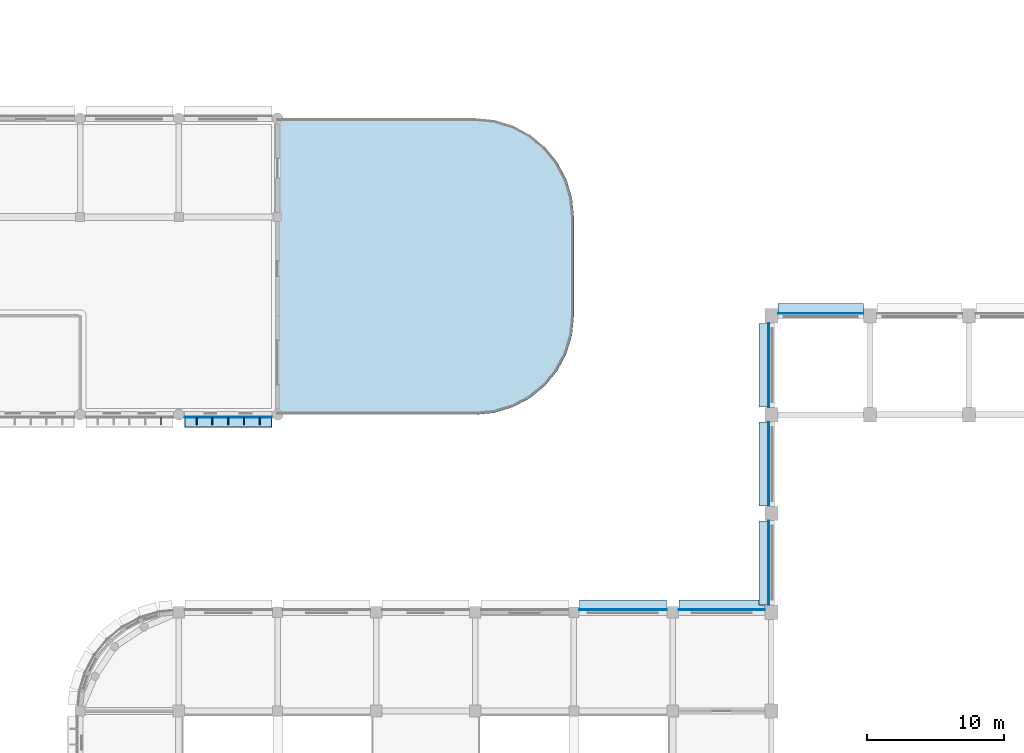
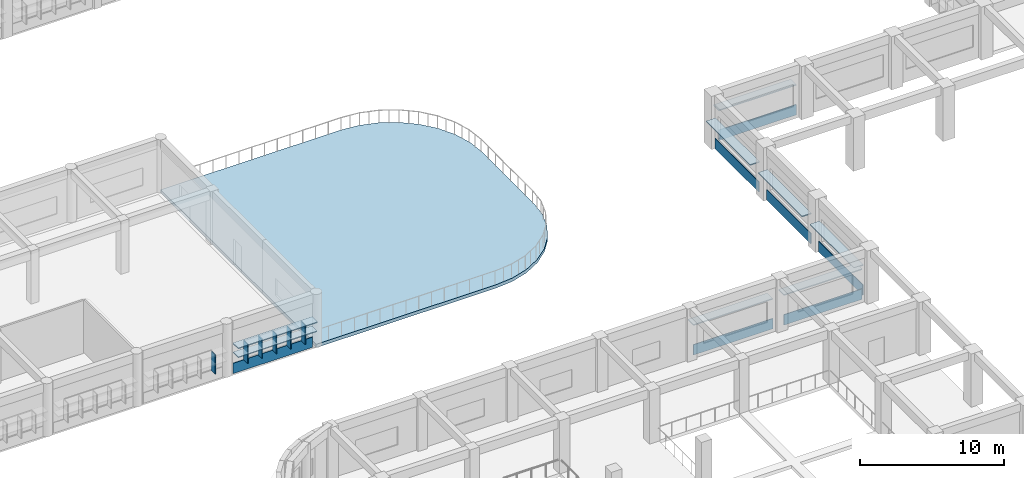
# One storey, part 21 of 61: 21 plates, 1 slab.
"""IFC4 building model written with IfcOpenShell, lengths in metres."""

from ifc_helpers import new_model, si_unit, direction, frame, origin, origin_2d, place, context, subcontext, project, spatial, polyline, rectangle, outline, extrude, material, layer, layer_set, type_object, element, save


model = new_model("IFC4")

# Units and contexts
model_context = context("Model", 3, precision=1e-05, world=origin(), true_north=direction((0.0, 1.0)))
body_context = subcontext(model_context, "Body", "Model", "MODEL_VIEW")
ifc_project = project(units=[si_unit("LENGTHUNIT", "METRE"), si_unit("AREAUNIT", "SQUARE_METRE"), si_unit("VOLUMEUNIT", "CUBIC_METRE"), si_unit("PLANEANGLEUNIT", "RADIAN"), si_unit("MASSUNIT", "GRAM", prefix="KILO")], contexts=[model_context])

# Site, building, storey
site_placement = place(None, origin())
site = spatial("IfcSite", under=ifc_project, at=site_placement, CompositionType="ELEMENT")
building_placement = place(site_placement, origin())
building = spatial("IfcBuilding", under=site, at=building_placement, Name="Thalmaran Polytechnic", CompositionType="ELEMENT")
storey_placement = place(building_placement, frame((0.0, 0.0, 9.89990234375)))
storey = spatial("IfcBuildingStorey", under=building, at=storey_placement, Name="L02", CompositionType="ELEMENT", Elevation=9.89990234375)

# Plates
ifc_material_1 = material(Name="Anodised aluminium spandrel band", Category="aluminium")
ifc_layer_1 = layer(ifc_material_1, 0.054931640625, Name="Anodised aluminium spandrel band")
ifc_layer_set_1 = layer_set([ifc_layer_1], Name="Anodised aluminium spandrel band")
plate_type_1 = type_object("IfcPlateType", Name="PT-BD01", PredefinedType="SHEET", material=ifc_layer_set_1)
for number, where, z_axis, x_axis, name in (
    (1, (68.39990234375, 50.205078125, 0.020263671875), (0.0, 0.0, 1.0), (-1.0, 0.0, 0.0), "Streamline Horizontal Spandrel Band L02-122"),
    (2, (97.175048828125, 36.179931640625, 0.020263671875), (0.0, 0.0, 1.0), (1.0, 0.0, 0.0), "Streamline Horizontal Spandrel Band L02-151"),
):
    element("IfcPlate", number, at=place(storey_placement, frame(where, z_axis=z_axis, x_axis=x_axis)), inside=storey, type_object=plate_type_1, Name=name, PredefinedType="SHEET", context=body_context, shape_type="SweptSolid", body=[
        extrude(rectangle(XDim=6.360107421875, YDim=0.054931640625, at=origin_2d()), origin(), (0.0, 0.0, 1.0), 0.8798828125),
    ])
plate_1_placement = place(storey_placement, frame((104.375, 36.179931640625, 0.020263671875), z_axis=(0.0, 0.0, 1.0), x_axis=(1.0, 0.0, 0.0)))
element("IfcPlate", 3, at=plate_1_placement, inside=storey, type_object=plate_type_1, Name="Streamline Horizontal Spandrel Band L02-152", PredefinedType="SHEET", context=body_context, shape_type="SweptSolid", body=[
    extrude(rectangle(XDim=6.260009765625, YDim=0.054931640625, at=origin_2d()), origin(), (0.0, 0.0, 1.0), 0.8798828125),
])
for number, where, z_axis, x_axis, name in (
    (4, (107.804931640625, 39.60009765625, 0.020263671875), (0.0, 0.0, 1.0), (0.0, 1.0, 0.0), "Streamline Horizontal Spandrel Band L02-153"),
    (5, (107.804931640625, 46.800048828125, 0.020263671875), (0.0, 0.0, 1.0), (0.0, 1.0, 0.0), "Streamline Horizontal Spandrel Band L02-154"),
    (6, (107.804931640625, 54.0, 0.020263671875), (0.0, 0.0, 1.0), (0.0, 1.0, 0.0), "Streamline Horizontal Spandrel Band L02-155"),
):
    element("IfcPlate", number, at=place(storey_placement, frame(where, z_axis=z_axis, x_axis=x_axis)), inside=storey, type_object=plate_type_1, Name=name, PredefinedType="SHEET", context=body_context, shape_type="SweptSolid", body=[
        extrude(rectangle(XDim=6.110107421875, YDim=0.054931640625, at=origin_2d()), origin(), (0.0, 0.0, 1.0), 0.8798828125),
    ])
plate_2_placement = place(storey_placement, frame((111.60009765625, 57.780029296875, 0.020263671875), z_axis=(0.0, 0.0, 1.0), x_axis=(1.0, 0.0, 0.0)))
element("IfcPlate", 7, at=plate_2_placement, inside=storey, type_object=plate_type_1, Name="Streamline Horizontal Spandrel Band L02-156", PredefinedType="SHEET", context=body_context, shape_type="SweptSolid", body=[
    extrude(rectangle(XDim=6.2099609375, YDim=0.054931640625, at=origin_2d()), origin(), (0.0, 0.0, 1.0), 0.8798828125),
])
ifc_material_2 = material(Name="Anodised aluminium sun-hood eyebrow", Category="aluminium")
ifc_layer_2 = layer(ifc_material_2, 0.0849609375, Name="Anodised aluminium sun-hood eyebrow")
ifc_layer_set_2 = layer_set([ifc_layer_2], Name="Anodised aluminium sun-hood eyebrow")
plate_type_2 = type_object("IfcPlateType", Name="PT-EB01", PredefinedType="SHEET", material=ifc_layer_set_2)
plate_3_placement = place(storey_placement, frame((68.39990234375, 49.860107421875, 2.517578125), z_axis=(0.0, 0.0, 1.0), x_axis=(-1.0, 0.0, 0.0)))
element("IfcPlate", 8, at=plate_3_placement, inside=storey, type_object=plate_type_2, Name="Streamline Sun-Hood Eyebrow L02-122", PredefinedType="SHEET", context=body_context, shape_type="SweptSolid", body=[
    extrude(rectangle(XDim=6.360107421875, YDim=0.760009765625, at=origin_2d()), origin(), (0.0, 0.0, 1.0), 0.0849609375),
])
plate_4_placement = place(storey_placement, frame((68.39990234375, 49.8798828125, 1.74267578125), z_axis=(0.0, 0.0, 1.0), x_axis=(-1.0, 0.0, 0.0)))
element("IfcPlate", 9, at=plate_4_placement, inside=storey, type_object=plate_type_2, Name="Abu Dhabi Horizontal Solar Louvre L02-122", PredefinedType="SHEET", context=body_context, shape_type="SweptSolid", body=[
    extrude(rectangle(XDim=6.320068359375, YDim=0.719970703125, at=origin_2d()), origin(), (0.0, 0.0, 1.0), 0.074951171875),
])
plate_5_placement = place(storey_placement, frame((97.175048828125, 36.52490234375, 2.517578125), z_axis=(0.0, 0.0, 1.0), x_axis=(1.0, 0.0, 0.0)))
element("IfcPlate", 10, at=plate_5_placement, inside=storey, type_object=plate_type_2, Name="Streamline Sun-Hood Eyebrow L02-151", PredefinedType="SHEET", context=body_context, shape_type="SweptSolid", body=[
    extrude(rectangle(XDim=6.360107421875, YDim=0.760009765625, at=origin_2d()), origin(), (0.0, 0.0, 1.0), 0.0849609375),
])
plate_6_placement = place(storey_placement, frame((104.375, 36.52490234375, 2.517578125), z_axis=(0.0, 0.0, 1.0), x_axis=(1.0, 0.0, 0.0)))
element("IfcPlate", 11, at=plate_6_placement, inside=storey, type_object=plate_type_2, Name="Streamline Sun-Hood Eyebrow L02-152", PredefinedType="SHEET", context=body_context, shape_type="SweptSolid", body=[
    extrude(rectangle(XDim=6.260009765625, YDim=0.760009765625, at=origin_2d()), origin(), (0.0, 0.0, 1.0), 0.0849609375),
])
for number, where, z_axis, x_axis, name in (
    (12, (107.4599609375, 39.60009765625, 2.517578125), (0.0, 0.0, 1.0), (0.0, 1.0, 0.0), "Streamline Sun-Hood Eyebrow L02-153"),
    (13, (107.4599609375, 46.800048828125, 2.517578125), (0.0, 0.0, 1.0), (0.0, 1.0, 0.0), "Streamline Sun-Hood Eyebrow L02-154"),
    (14, (107.4599609375, 54.0, 2.517578125), (0.0, 0.0, 1.0), (0.0, 1.0, 0.0), "Streamline Sun-Hood Eyebrow L02-155"),
):
    element("IfcPlate", number, at=place(storey_placement, frame(where, z_axis=z_axis, x_axis=x_axis)), inside=storey, type_object=plate_type_2, Name=name, PredefinedType="SHEET", context=body_context, shape_type="SweptSolid", body=[
        extrude(rectangle(XDim=6.110107421875, YDim=0.760009765625, at=origin_2d()), origin(), (0.0, 0.0, 1.0), 0.0849609375),
    ])
plate_7_placement = place(storey_placement, frame((111.60009765625, 58.125, 2.517578125), z_axis=(0.0, 0.0, 1.0), x_axis=(1.0, 0.0, 0.0)))
element("IfcPlate", 15, at=plate_7_placement, inside=storey, type_object=plate_type_2, Name="Streamline Sun-Hood Eyebrow L02-156", PredefinedType="SHEET", context=body_context, shape_type="SweptSolid", body=[
    extrude(rectangle(XDim=6.2099609375, YDim=0.760009765625, at=origin_2d()), origin(), (0.0, 0.0, 1.0), 0.0849609375),
])
ifc_material_3 = material(Name="Anodised bronze brise-soleil fin")
ifc_layer_3 = layer(ifc_material_3, 0.06494140625, Name="Anodised bronze brise-soleil fin")
ifc_layer_set_3 = layer_set([ifc_layer_3], Name="Anodised bronze brise-soleil fin")
plate_type_3 = type_object("IfcPlateType", Name="PT-FN01", PredefinedType="SHEET", material=ifc_layer_set_3)
for number, where, z_axis, x_axis, name in (
    (16, (70.7041015625, 49.93994140625, 0.895263671875), (0.0, 0.0, 1.0), (-1.0, 0.0, 0.0), "Abu Dhabi Solar Brise-Soleil Fin L02-122-1"),
    (17, (69.552001953125, 49.93994140625, 0.895263671875), (0.0, 0.0, 1.0), (-1.0, 0.0, 0.0), "Abu Dhabi Solar Brise-Soleil Fin L02-122-2"),
    (18, (68.39990234375, 49.93994140625, 0.895263671875), (0.0, 0.0, 1.0), (-1.0, 0.0, 0.0), "Abu Dhabi Solar Brise-Soleil Fin L02-122-3"),
    (19, (67.248046875, 49.93994140625, 0.895263671875), (0.0, 0.0, 1.0), (-1.0, 0.0, 0.0), "Abu Dhabi Solar Brise-Soleil Fin L02-122-4"),
    (20, (66.095947265625, 49.93994140625, 0.895263671875), (0.0, 0.0, 1.0), (-1.0, 0.0, 0.0), "Abu Dhabi Solar Brise-Soleil Fin L02-122-5"),
    (21, (63.50390625, 49.93994140625, 0.895263671875), (0.0, 0.0, 1.0), (-1.0, 0.0, 0.0), "Abu Dhabi Solar Brise-Soleil Fin L02-123-1"),
):
    element("IfcPlate", number, at=place(storey_placement, frame(where, z_axis=z_axis, x_axis=x_axis)), inside=storey, type_object=plate_type_3, Name=name, PredefinedType="SHEET", context=body_context, shape_type="SweptSolid", body=[
        extrude(rectangle(XDim=0.06494140625, YDim=0.56005859375, at=origin_2d()), origin(), (0.0, 0.0, 1.0), 1.64990234375),
    ])

# Slab
ifc_material_4 = material(Name="Concrete C40/50", Category="concrete")
ifc_layer_4 = layer(ifc_material_4, 0.284912109375, Name="Concrete C40/50")
ifc_layer_set_4 = layer_set([ifc_layer_4], Name="Concrete C40/50")
slab_type = type_object("IfcSlabType", Name="SL-TR01", PredefinedType="FLOOR", material=ifc_layer_set_4)
slab_placement = place(storey_placement, frame((0.0, 0.0, -0.284912109375)))
element("IfcSlab", 22, at=slab_placement, inside=storey, type_object=slab_type, Name="V6 L02 Outdoor Terrace Slab", PredefinedType="FLOOR", context=body_context, shape_type="SweptSolid", body=[
    extrude(outline(polyline([(72.0, 64.800048828125), (72.0, 72.0), (79.199951171875, 72.0), (86.39990234375, 72.0), (87.8046875, 71.861572265625), (89.1552734375, 71.451904296875), (90.400146484375, 70.78662109375), (91.4912109375, 69.89111328125), (92.386474609375, 68.800048828125), (93.052001953125, 67.555419921875), (93.461669921875, 66.20458984375), (93.60009765625, 64.800048828125), (93.60009765625, 57.60009765625), (93.461669921875, 56.1953125), (93.052001953125, 54.8447265625), (92.386474609375, 53.599853515625), (91.4912109375, 52.5087890625), (90.400146484375, 51.613525390625), (89.1552734375, 50.947998046875), (87.8046875, 50.538330078125), (86.39990234375, 50.39990234375), (79.199951171875, 50.39990234375), (72.0, 50.39990234375), (72.0, 57.60009765625), (72.0, 64.800048828125)])), origin(), (0.0, 0.0, 1.0), 0.284912109375),
])

save(model, "model.ifc")
